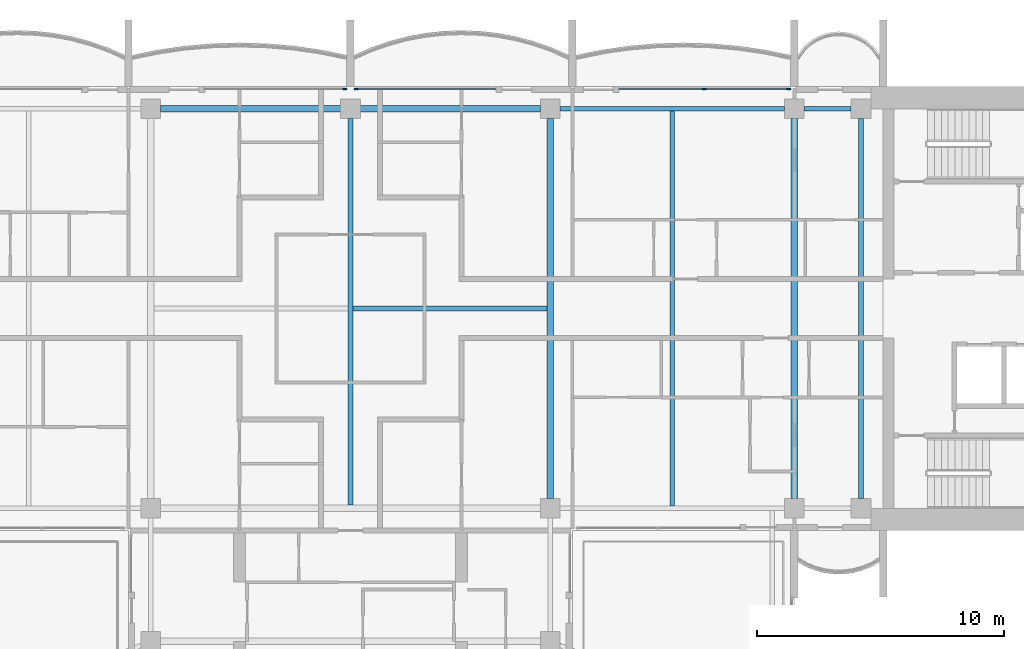
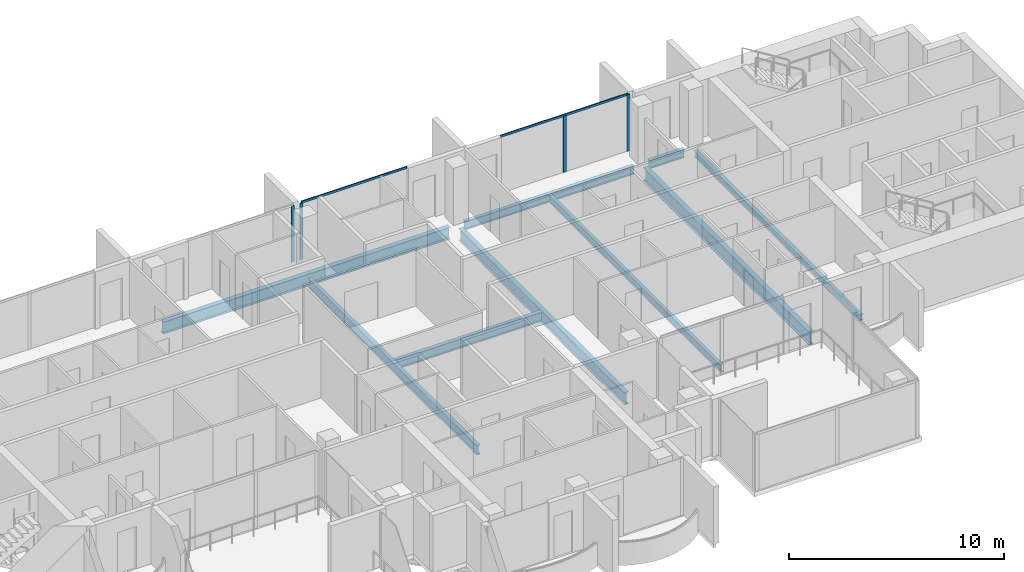
# One storey, part 4 of 16: 9 beams, 6 members, 3 elements without a shape of their own.
"""IFC4 building model written with IfcOpenShell, lengths in metres."""

from ifc_helpers import new_model, si_unit, direction, frame, origin, origin_2d, place, context, subcontext, project, spatial, rectangle, i_section, extrude, material, material_profile, profile_set, type_object, element, aggregate, save


model = new_model("IFC4")

# Units and contexts
model_context = context("Model", 3, precision=1e-05, world=origin(), true_north=direction((0.0, 1.0)))
body_context = subcontext(model_context, "Body", "Model", "MODEL_VIEW")
ifc_project = project(units=[si_unit("LENGTHUNIT", "METRE"), si_unit("AREAUNIT", "SQUARE_METRE"), si_unit("VOLUMEUNIT", "CUBIC_METRE"), si_unit("PLANEANGLEUNIT", "RADIAN"), si_unit("MASSUNIT", "GRAM", prefix="KILO")], contexts=[model_context])

# Site, building, storey
site_placement = place(None, origin())
site = spatial("IfcSite", under=ifc_project, at=site_placement, CompositionType="ELEMENT")
building_placement = place(site_placement, origin())
building = spatial("IfcBuilding", under=site, at=building_placement, Name="Perihelion Cross Residences", CompositionType="ELEMENT")
storey_placement = place(building_placement, frame((0.0, 0.0, 257.0)))
storey = spatial("IfcBuildingStorey", under=building, at=storey_placement, Name="L65", CompositionType="ELEMENT", Elevation=257.0)

# Curtain wall, members
ifc_material_1 = material(Name="Bronze anodised aluminium, tinted glazing", Category="aluminium")
curtain_wall_type = type_object("IfcCurtainWallType", Name="CW1", PredefinedType="NOTDEFINED", material=ifc_material_1)
curtain_wall_1_placement = place(storey_placement, origin())
curtain_wall_1 = element("IfcCurtainWall", 1, at=curtain_wall_1_placement, inside=storey, type_object=curtain_wall_type, Name="Curtain wall CW1 L65 east side north bay 2", PredefinedType="NOTDEFINED")
ifc_material_2 = material(Name="Bronze anodised aluminium", Category="aluminium")
ifc_material_profile_1 = material_profile(ifc_material_2, rectangle(XDim=0.06005859375, YDim=0.159912109375, at=origin_2d()), Name="CW1 mullion")
ifc_profile_set_1 = profile_set([ifc_material_profile_1], Name="Bronze anodised aluminium")
member_type_1 = type_object("IfcMemberType", Name="CW1 mullion", PredefinedType="MULLION", material=ifc_profile_set_1)
member_1_placement = place(storey_placement, frame((17.77001953125, 8.89990234375, 0.0), z_axis=(0.0, 0.0, 1.0), x_axis=(0.0, -1.0, 0.0)))
member_1 = element("IfcMember", 2, at=member_1_placement, type_object=member_type_1, Name="CW1 mullion 1", PredefinedType="MULLION", context=body_context, shape_type="SweptSolid", body=[
    extrude(rectangle(XDim=0.06005859375, YDim=0.159912109375, at=origin_2d()), origin(), (0.0, 0.0, 1.0), 3.18994140625),
])
member_2_placement = place(storey_placement, frame((14.35009765625, 8.89990234375, 0.0), z_axis=(0.0, 0.0, 1.0), x_axis=(0.0, -1.0, 0.0)))
member_2 = element("IfcMember", 3, at=member_2_placement, type_object=member_type_1, Name="CW1 mullion 2", PredefinedType="MULLION", context=body_context, shape_type="SweptSolid", body=[
    extrude(rectangle(XDim=0.06005859375, YDim=0.159912109375, at=origin_2d()), origin(), (0.0, 0.0, 1.0), 3.18994140625),
])

# Curtain wall, member
curtain_wall_2_placement = place(storey_placement, origin())
curtain_wall_2 = element("IfcCurtainWall", 4, at=curtain_wall_2_placement, inside=storey, type_object=curtain_wall_type, Name="Curtain wall CW1 L65 north side east bay 1", PredefinedType="NOTDEFINED")
member_3_placement = place(storey_placement, frame((0.22998046875, 8.89990234375, 0.0), z_axis=(0.0, 0.0, 1.0), x_axis=(0.0, -1.0, 0.0)))
member_3 = element("IfcMember", 5, at=member_3_placement, type_object=member_type_1, Name="CW1 mullion 2", PredefinedType="MULLION", context=body_context, shape_type="SweptSolid", body=[
    extrude(rectangle(XDim=0.06005859375, YDim=0.159912109375, at=origin_2d()), origin(), (0.0, 0.0, 1.0), 3.18994140625),
])

curtain_wall_3_placement = place(storey_placement, origin())
curtain_wall_3 = element("IfcCurtainWall", 6, at=curtain_wall_3_placement, inside=storey, type_object=curtain_wall_type, Name="Curtain wall CW1 L65 north side east bay 2", PredefinedType="NOTDEFINED")
member_4_placement = place(storey_placement, frame((-0.22998046875, 8.89990234375, 0.0), z_axis=(0.0, 0.0, 1.0), x_axis=(0.0, -1.0, 0.0)))
member_4 = element("IfcMember", 7, at=member_4_placement, type_object=member_type_1, Name="CW1 mullion 1", PredefinedType="MULLION", context=body_context, shape_type="SweptSolid", body=[
    extrude(rectangle(XDim=0.06005859375, YDim=0.159912109375, at=origin_2d()), origin(), (0.0, 0.0, 1.0), 3.18994140625),
])
aggregate(curtain_wall_3, [member_4])

# Member
ifc_material_3 = material(Name="Bronze anodised aluminium", Category="aluminium")
ifc_material_profile_2 = material_profile(ifc_material_3, rectangle(XDim=0.06005859375, YDim=0.1201171875, at=origin_2d()), Name="CW1 transom")
ifc_profile_set_2 = profile_set([ifc_material_profile_2], Name="Bronze anodised aluminium")
member_type_2 = type_object("IfcMemberType", Name="CW1 transom", PredefinedType="USERDEFINED", material=ifc_profile_set_2)
member_5_placement = place(storey_placement, frame((17.77001953125, 8.89990234375, 3.219970703125), z_axis=(-1.0, 0.0, 0.0), x_axis=(0.0, -1.0, 0.0)))
member_5 = element("IfcMember", 8, at=member_5_placement, type_object=member_type_2, Name="CW1 head transom", ObjectType="TRANSOM", PredefinedType="USERDEFINED", context=body_context, shape_type="SweptSolid", body=[
    extrude(rectangle(XDim=0.06005859375, YDim=0.1201171875, at=origin_2d()), origin(), (0.0, 0.0, 1.0), 6.8701171875),
])

aggregate(curtain_wall_1, [member_1, member_2, member_5])

member_6_placement = place(storey_placement, frame((5.89990234375, 8.89990234375, 3.219970703125), z_axis=(-1.0, 0.0, 0.0), x_axis=(0.0, -1.0, 0.0)))
member_6 = element("IfcMember", 9, at=member_6_placement, type_object=member_type_2, Name="CW1 head transom", ObjectType="TRANSOM", PredefinedType="USERDEFINED", context=body_context, shape_type="SweptSolid", body=[
    extrude(rectangle(XDim=0.06005859375, YDim=0.1201171875, at=origin_2d()), origin(), (0.0, 0.0, 1.0), 5.669921875),
])

aggregate(curtain_wall_2, [member_3, member_6])

# Beams
ifc_material_4 = material(Name="Steel S355", Category="steel")
ifc_material_profile_3 = material_profile(ifc_material_4, i_section(OverallWidth=0.205078125, OverallDepth=0.35302734375, WebThickness=0.009521484375, FlangeThickness=0.016845703125, at=origin_2d()), Name="W360x79")
ifc_profile_set_3 = profile_set([ifc_material_profile_3], Name="Steel S355")
beam_type_1 = type_object("IfcBeamType", Name="Core edge beam W360x79", PredefinedType="BEAM", material=ifc_profile_set_3)
beam_1_placement = place(storey_placement, frame((20.699951171875, -7.699951171875, -0.426513671875), z_axis=(0.0, 1.0, 0.0), x_axis=(-1.0, 0.0, 0.0)))
element("IfcBeam", 10, at=beam_1_placement, inside=storey, type_object=beam_type_1, Name="Core edge beam TB7 L65 no. 2", PredefinedType="BEAM", context=body_context, shape_type="SweptSolid", body=[
    extrude(i_section(OverallWidth=0.205078125, OverallDepth=0.35302734375, WebThickness=0.009521484375, FlangeThickness=0.016845703125, at=origin_2d()), origin(), (0.0, 0.0, 1.0), 15.39990234375),
])
ifc_material_5 = material(Name="Steel S355", Category="steel")
ifc_material_profile_4 = material_profile(ifc_material_5, i_section(OverallWidth=0.194091796875, OverallDepth=0.469970703125, WebThickness=0.0126953125, FlangeThickness=0.0205078125, at=origin_2d()), Name="W460x106")
ifc_profile_set_4 = profile_set([ifc_material_profile_4], Name="Steel S355")
beam_type_2 = type_object("IfcBeamType", Name="Edge beam W460x106", PredefinedType="SPANDREL", material=ifc_profile_set_4)
beam_2_placement = place(storey_placement, frame((20.300048828125, 8.10009765625, -0.485107421875), z_axis=(-1.0, 0.0, 0.0), x_axis=(0.0, -1.0, 0.0)))
element("IfcBeam", 11, at=beam_2_placement, inside=storey, type_object=beam_type_2, Name="Edge beam SB5 L65 no. 10", PredefinedType="SPANDREL", context=body_context, shape_type="SweptSolid", body=[
    extrude(i_section(OverallWidth=0.194091796875, OverallDepth=0.469970703125, WebThickness=0.0126953125, FlangeThickness=0.0205078125, at=origin_2d()), origin(), (0.0, 0.0, 1.0), 1.900146484375),
])
beam_3_placement = place(storey_placement, frame((17.60009765625, 8.10009765625, -0.485107421875), z_axis=(-1.0, 0.0, 0.0), x_axis=(0.0, -1.0, 0.0)))
element("IfcBeam", 12, at=beam_3_placement, inside=storey, type_object=beam_type_2, Name="Edge beam SB5 L65 no. 9", PredefinedType="SPANDREL", context=body_context, shape_type="SweptSolid", body=[
    extrude(i_section(OverallWidth=0.194091796875, OverallDepth=0.469970703125, WebThickness=0.0126953125, FlangeThickness=0.0205078125, at=origin_2d()), origin(), (0.0, 0.0, 1.0), 9.10009765625),
])
ifc_material_6 = material(Name="Steel S355", Category="steel")
ifc_material_profile_5 = material_profile(ifc_material_6, i_section(OverallWidth=0.26708984375, OverallDepth=0.75390625, WebThickness=0.01318359375, FlangeThickness=0.01708984375, at=origin_2d()), Name="W760x147")
ifc_profile_set_5 = profile_set([ifc_material_profile_5], Name="Steel S355")
beam_type_3 = type_object("IfcBeamType", Name="Floor girder W760x147", PredefinedType="BEAM", material=ifc_profile_set_5)
beam_4_placement = place(storey_placement, frame((18.0, -7.699951171875, -0.626953125), z_axis=(0.0, 1.0, 0.0), x_axis=(-1.0, 0.0, 0.0)))
element("IfcBeam", 13, at=beam_4_placement, inside=storey, type_object=beam_type_3, Name="Girder G5 L65 no. 2", PredefinedType="BEAM", context=body_context, shape_type="SweptSolid", body=[
    extrude(i_section(OverallWidth=0.26708984375, OverallDepth=0.75390625, WebThickness=0.01318359375, FlangeThickness=0.01708984375, at=origin_2d()), origin(), (0.0, 0.0, 1.0), 15.39990234375),
])
ifc_material_7 = material(Name="Steel S355", Category="steel")
ifc_material_profile_6 = material_profile(ifc_material_7, i_section(OverallWidth=0.177978515625, OverallDepth=0.406005859375, WebThickness=0.0078125, FlangeThickness=0.0126953125, at=origin_2d()), Name="W410x60")
ifc_profile_set_6 = profile_set([ifc_material_profile_6], Name="Steel S355")
beam_type_4 = type_object("IfcBeamType", Name="Floor joist W410x60", PredefinedType="JOIST", material=ifc_profile_set_6)
beam_5_placement = place(storey_placement, frame((13.050048828125, -8.0029296875, -0.452880859375), z_axis=(0.0, 1.0, 0.0), x_axis=(-1.0, 0.0, 0.0)))
element("IfcBeam", 14, at=beam_5_placement, inside=storey, type_object=beam_type_4, Name="Joist J6 L65 no. 2", PredefinedType="JOIST", context=body_context, shape_type="SweptSolid", body=[
    extrude(i_section(OverallWidth=0.177978515625, OverallDepth=0.406005859375, WebThickness=0.0078125, FlangeThickness=0.0126953125, at=origin_2d()), origin(), (0.0, 0.0, 1.0), 16.005859375),
])
ifc_material_8 = material(Name="Steel S355", Category="steel")
ifc_material_profile_7 = material_profile(ifc_material_8, i_section(OverallWidth=0.208984375, OverallDepth=0.532958984375, WebThickness=0.01025390625, FlangeThickness=0.015625, at=origin_2d()), Name="W530x92")
ifc_profile_set_7 = profile_set([ifc_material_profile_7], Name="Steel S355")
beam_type_5 = type_object("IfcBeamType", Name="Hub cross beam W530x92", PredefinedType="BEAM", material=ifc_profile_set_7)
beam_6_placement = place(storey_placement, frame((0.0, -7.972900390625, -0.5166015625), z_axis=(0.0, 1.0, 0.0), x_axis=(-1.0, 0.0, 0.0)))
element("IfcBeam", 15, at=beam_6_placement, inside=storey, type_object=beam_type_5, Name="Hub cross beam XB5 L65 no. 1", PredefinedType="BEAM", context=body_context, shape_type="SweptSolid", body=[
    extrude(i_section(OverallWidth=0.208984375, OverallDepth=0.532958984375, WebThickness=0.01025390625, FlangeThickness=0.015625, at=origin_2d()), origin(), (0.0, 0.0, 1.0), 15.6728515625),
])
beam_7_placement = place(storey_placement, frame((0.1044921875, 0.0, -0.5166015625), z_axis=(1.0, 0.0, 0.0), x_axis=(0.0, 1.0, 0.0)))
element("IfcBeam", 16, at=beam_7_placement, inside=storey, type_object=beam_type_5, Name="Hub cross beam XB5 L65 2 no. 1", PredefinedType="BEAM", context=body_context, shape_type="SweptSolid", body=[
    extrude(i_section(OverallWidth=0.208984375, OverallDepth=0.532958984375, WebThickness=0.01025390625, FlangeThickness=0.015625, at=origin_2d()), origin(), (0.0, 0.0, 1.0), 7.868408203125),
])
ifc_material_9 = material(Name="Steel S355", Category="steel")
ifc_material_profile_8 = material_profile(ifc_material_9, i_section(OverallWidth=0.25390625, OverallDepth=0.677978515625, WebThickness=0.01171875, FlangeThickness=0.016357421875, at=origin_2d()), Name="W690x125")
ifc_profile_set_8 = profile_set([ifc_material_profile_8], Name="Steel S355")
beam_type_6 = type_object("IfcBeamType", Name="Hub ring girder W690x125", PredefinedType="BEAM", material=ifc_profile_set_8)
for number, where, z_axis, x_axis, name in (
    (17, (8.10009765625, -7.699951171875, -0.589111328125), (0.0, 1.0, 0.0), (-1.0, 0.0, 0.0), "Hub ring girder RG5 L65 no. 3"),
    (18, (7.699951171875, 8.10009765625, -0.589111328125), (-1.0, 0.0, 0.0), (0.0, -1.0, 0.0), "Hub ring girder RG5 L65 no. 4"),
):
    element("IfcBeam", number, at=place(storey_placement, frame(where, z_axis=z_axis, x_axis=x_axis)), inside=storey, type_object=beam_type_6, Name=name, PredefinedType="BEAM", context=body_context, shape_type="SweptSolid", body=[
        extrude(i_section(OverallWidth=0.25390625, OverallDepth=0.677978515625, WebThickness=0.01171875, FlangeThickness=0.016357421875, at=origin_2d()), origin(), (0.0, 0.0, 1.0), 15.39990234375),
    ])

save(model, "model.ifc")
